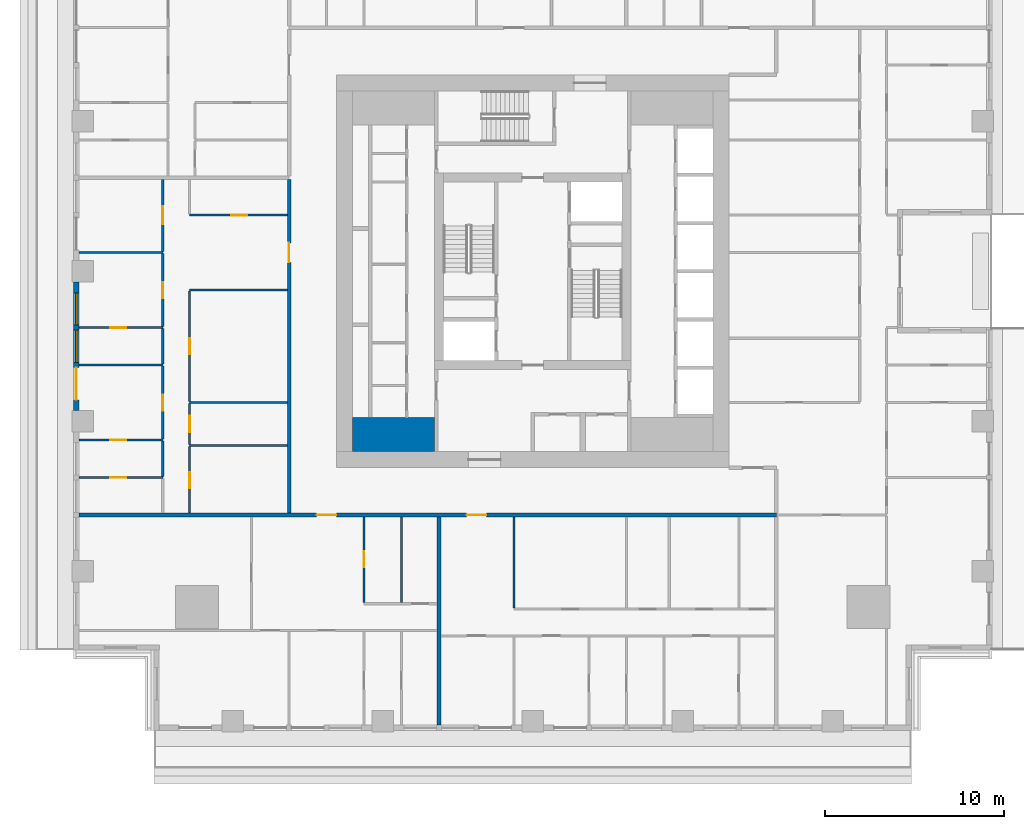
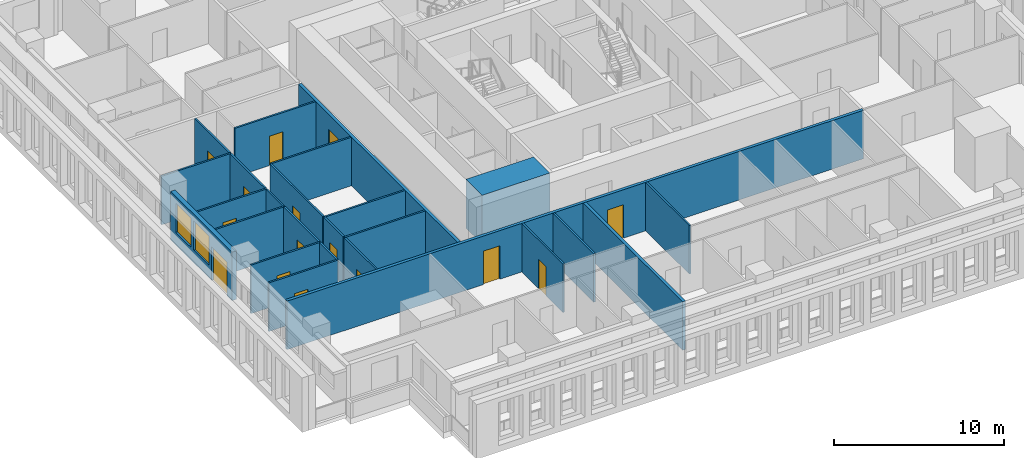
# One storey, part 3 of 17: 25 walls, 15 doors, 2 windows, 17 openings.
"""IFC4 building model written with IfcOpenShell, lengths in metres."""

from ifc_helpers import new_model, si_unit, direction, frame, frame_2d, origin, place, context, subcontext, project, spatial, rectangle, extrude, material, layer, layer_set, type_object, element, fill, save


model = new_model("IFC4")

# Units and contexts
model_context = context("Model", 3, precision=1e-05, world=origin(), true_north=direction((0.0, 1.0)))
body_context = subcontext(model_context, "Body", "Model", "MODEL_VIEW")
ifc_project = project(units=[si_unit("LENGTHUNIT", "METRE"), si_unit("AREAUNIT", "SQUARE_METRE"), si_unit("VOLUMEUNIT", "CUBIC_METRE"), si_unit("PLANEANGLEUNIT", "RADIAN"), si_unit("MASSUNIT", "GRAM", prefix="KILO")], contexts=[model_context])

# Site, building, storey
site_placement = place(None, origin())
site = spatial("IfcSite", under=ifc_project, at=site_placement, CompositionType="ELEMENT")
building_placement = place(site_placement, origin())
building = spatial("IfcBuilding", under=site, at=building_placement, Name="Khepri Terraces", CompositionType="ELEMENT")
storey_placement = place(building_placement, frame((0.0, 0.0, 188.39990234375)))
storey = spatial("IfcBuildingStorey", under=building, at=storey_placement, Name="L44", CompositionType="ELEMENT", Elevation=188.39990234375)

# Walls
ifc_material_1 = material(Name="Concrete C50/60", Category="concrete")
ifc_layer_1 = layer(ifc_material_1, 1.89990234375, Name="Concrete C50/60", Category="concrete")
ifc_layer_set_1 = layer_set([ifc_layer_1], Name="Concrete C50/60")
wall_type_1 = type_object("IfcWallType", Name="Core wall 1900 C50/60", PredefinedType="SHEAR", material=ifc_layer_set_1)
wall_1_placement = place(storey_placement, frame((-10.10009765625, -9.14990234375, 0.0), z_axis=(0.0, 0.0, 1.0), x_axis=(1.0, 0.0, 0.0)))
element("IfcWall", 1, at=wall_1_placement, inside=storey, type_object=wall_type_1, Name="Core wall PR01 L44", PredefinedType="SHEAR", context=body_context, shape_type="SweptSolid", body=[
    extrude(rectangle(XDim=4.60009765625, YDim=1.89990234375, at=frame_2d((2.300048828125, 0.0))), origin(), (0.0, 0.0, 1.0), 3.47998046875),
])
ifc_material_2 = material(Name="Fire-rated gypsum plasterboard partition, mineral wool")
ifc_layer_2 = layer(ifc_material_2, 0.199951171875, Name="Fire-rated gypsum plasterboard partition, mineral wool")
ifc_layer_set_2 = layer_set([ifc_layer_2], Name="Fire-rated gypsum plasterboard partition, mineral wool")
wall_type_2 = type_object("IfcWallType", Name="WL-CORR-200", PredefinedType="PARTITIONING", material=ifc_layer_set_2)
wall_2_placement = place(storey_placement, frame((-5.25, -25.419921875, 0.0), z_axis=(0.0, 0.0, 1.0), x_axis=(0.0, 1.0, 0.0)))
element("IfcWall", 2, at=wall_2_placement, inside=storey, type_object=wall_type_2, Name="Partition P-004 L44", PredefinedType="PARTITIONING", context=body_context, shape_type="SweptSolid", body=[
    extrude(rectangle(XDim=11.669921875, YDim=0.199951171875, at=frame_2d((5.8349609375, 0.0))), origin(), (0.0, 0.0, 1.0), 3.47998046875),
])

# Wall, openings, doors
wall_3_placement = place(storey_placement, frame((-25.419921875, -13.64990234375, 0.0), z_axis=(0.0, 0.0, 1.0), x_axis=(1.0, 0.0, 0.0)))
wall_3 = element("IfcWall", 3, at=wall_3_placement, inside=storey, type_object=wall_type_2, Name="Partition P-024 L44", PredefinedType="PARTITIONING", context=body_context, shape_type="SweptSolid", body=[
    extrude(rectangle(XDim=39.06982421875, YDim=0.199951171875, at=frame_2d((19.534912109375, 0.0))), origin(), (0.0, 0.0, 1.0), 3.47998046875),
])
opening_1_placement = place(wall_3_placement, frame((13.320068359375, 0.0, 0.0)))
opening_1 = element("IfcOpeningElement", 4, at=opening_1_placement, cuts=wall_3, Name="Opening D1", PredefinedType="OPENING", context=body_context, shape_type="SweptSolid", body=[
    extrude(rectangle(XDim=1.10009765625, YDim=2.39990234375, at=frame_2d((0.550048828125, 1.199951171875))), frame((0.0, 0.10986328125, 0.0), z_axis=(0.0, -1.0, 0.0), x_axis=(1.0, 0.0, 0.0)), (0.0, 0.0, 1.0), 0.219970703125),
])
opening_2_placement = place(wall_3_placement, frame((21.719970703125, 0.0, 0.0)))
opening_2 = element("IfcOpeningElement", 5, at=opening_2_placement, cuts=wall_3, Name="Opening D1", PredefinedType="OPENING", context=body_context, shape_type="SweptSolid", body=[
    extrude(rectangle(XDim=1.10009765625, YDim=2.39990234375, at=frame_2d((0.550048828125, 1.199951171875))), frame((0.0, 0.10986328125, 0.0), z_axis=(0.0, -1.0, 0.0), x_axis=(1.0, 0.0, 0.0)), (0.0, 0.0, 1.0), 0.219970703125),
])
ifc_material_3 = material(Name="Solid-core timber door leaf, flat entrance door", Category="wood")
door_type_1 = type_object("IfcDoorType", Name="DR-ENT-1100", OperationType="NOTDEFINED", PredefinedType="DOOR", material=ifc_material_3)
door_1_placement = place(opening_1_placement, frame((1.10009765625, 0.0, 0.0), z_axis=(0.0, 0.0, 1.0), x_axis=(-1.0, 0.0, 0.0)))
door_1 = element("IfcDoor", 6, at=door_1_placement, inside=storey, type_object=door_type_1, Name="Flat A1 entrance door", OperationType="SINGLE_SWING_RIGHT", OverallHeight=2.39990234375, OverallWidth=1.10009765625, PredefinedType="DOOR", context=body_context, shape_type="SweptSolid", body=[
    extrude(rectangle(XDim=1.10009765625, YDim=2.39990234375, at=frame_2d((0.550048828125, 1.199951171875))), frame((0.0, 0.02490234375, 0.0), z_axis=(0.0, -1.0, 0.0), x_axis=(1.0, 0.0, 0.0)), (0.0, 0.0, 1.0), 0.050048828125),
])
fill(opening_1, door_1)
door_2_placement = place(opening_2_placement, frame((1.10009765625, 0.0, 0.0), z_axis=(0.0, 0.0, 1.0), x_axis=(-1.0, 0.0, 0.0)))
door_2 = element("IfcDoor", 7, at=door_2_placement, inside=storey, type_object=door_type_1, Name="Flat A2 entrance door", OperationType="SINGLE_SWING_LEFT", OverallHeight=2.39990234375, OverallWidth=1.10009765625, PredefinedType="DOOR", context=body_context, shape_type="SweptSolid", body=[
    extrude(rectangle(XDim=1.10009765625, YDim=2.39990234375, at=frame_2d((0.550048828125, 1.199951171875))), frame((0.0, 0.02490234375, 0.0), z_axis=(0.0, -1.0, 0.0), x_axis=(1.0, 0.0, 0.0)), (0.0, 0.0, 1.0), 0.050048828125),
])
fill(opening_2, door_2)

# Wall, opening, door
wall_4_placement = place(storey_placement, frame((-13.64990234375, -13.550048828125, 0.0), z_axis=(0.0, 0.0, 1.0), x_axis=(0.0, 1.0, 0.0)))
wall_4 = element("IfcWall", 8, at=wall_4_placement, inside=storey, type_object=wall_type_2, Name="Partition P-029 L44", PredefinedType="PARTITIONING", context=body_context, shape_type="SweptSolid", body=[
    extrude(rectangle(XDim=18.699951171875, YDim=0.199951171875, at=frame_2d((9.35009765625, 0.0))), origin(), (0.0, 0.0, 1.0), 3.47998046875),
])
opening_3_placement = place(wall_4_placement, frame((14.050048828125, 0.0, 0.0)))
opening_3 = element("IfcOpeningElement", 9, at=opening_3_placement, cuts=wall_4, Name="Opening D1", PredefinedType="OPENING", context=body_context, shape_type="SweptSolid", body=[
    extrude(rectangle(XDim=1.10009765625, YDim=2.39990234375, at=frame_2d((0.550048828125, 1.199951171875))), frame((0.0, 0.10986328125, 0.0), z_axis=(0.0, -1.0, 0.0), x_axis=(1.0, 0.0, 0.0)), (0.0, 0.0, 1.0), 0.219970703125),
])
door_3_placement = place(opening_3_placement, origin())
door_3 = element("IfcDoor", 10, at=door_3_placement, inside=storey, type_object=door_type_1, Name="Flat D2 entrance door", OperationType="SINGLE_SWING_RIGHT", OverallHeight=2.39990234375, OverallWidth=1.10009765625, PredefinedType="DOOR", context=body_context, shape_type="SweptSolid", body=[
    extrude(rectangle(XDim=1.10009765625, YDim=2.39990234375, at=frame_2d((0.550048828125, 1.199951171875))), frame((0.0, 0.02490234375, 0.0), z_axis=(0.0, -1.0, 0.0), x_axis=(1.0, 0.0, 0.0)), (0.0, 0.0, 1.0), 0.050048828125),
])
fill(opening_3, door_3)

# Wall, openings, door, windows
ifc_material_4 = material(Name="Precast concrete C50/60 warm stone", Category="masonry")
ifc_layer_3 = layer(ifc_material_4, 0.300048828125, Name="Precast concrete C50/60 warm stone", Category="masonry")
ifc_layer_set_3 = layer_set([ifc_layer_3], Name="Precast concrete C50/60 warm stone")
wall_type_3 = type_object("IfcWallType", Name="WL-EXT-PRECAST-300", PredefinedType="STANDARD", material=ifc_layer_set_3)
wall_5_placement = place(storey_placement, frame((-25.570068359375, -0.60009765625, 0.0), z_axis=(0.0, 0.0, 1.0), x_axis=(0.0, -1.0, 0.0)))
wall_5 = element("IfcWall", 11, at=wall_5_placement, inside=storey, type_object=wall_type_3, Name="External wall L44 W", PredefinedType="STANDARD", context=body_context, shape_type="SweptSolid", body=[
    extrude(rectangle(XDim=7.199951171875, YDim=0.300048828125, at=frame_2d((3.60009765625, 0.0))), origin(), (0.0, 0.0, 1.0), 3.47998046875),
])
opening_4_placement = place(wall_5_placement, frame((0.60009765625, 0.0, 0.89990234375)))
opening_4 = element("IfcOpeningElement", 12, at=opening_4_placement, cuts=wall_5, Name="Opening W1", PredefinedType="OPENING", context=body_context, shape_type="SweptSolid", body=[
    extrude(rectangle(XDim=1.800048828125, YDim=2.10009765625, at=frame_2d((0.89990234375, 1.050048828125))), frame((0.0, 0.16015625, 0.0), z_axis=(0.0, -1.0, 0.0), x_axis=(1.0, 0.0, 0.0)), (0.0, 0.0, 1.0), 0.320068359375),
])
opening_5_placement = place(wall_5_placement, frame((2.699951171875, 0.0, 0.89990234375)))
opening_5 = element("IfcOpeningElement", 13, at=opening_5_placement, cuts=wall_5, Name="Opening W1", PredefinedType="OPENING", context=body_context, shape_type="SweptSolid", body=[
    extrude(rectangle(XDim=1.800048828125, YDim=2.10009765625, at=frame_2d((0.89990234375, 1.050048828125))), frame((0.0, 0.16015625, 0.0), z_axis=(0.0, -1.0, 0.0), x_axis=(1.0, 0.0, 0.0)), (0.0, 0.0, 1.0), 0.320068359375),
])
opening_6_placement = place(wall_5_placement, frame((4.800048828125, 0.0, 0.0)))
opening_6 = element("IfcOpeningElement", 14, at=opening_6_placement, cuts=wall_5, Name="Opening ED-L44-16", PredefinedType="OPENING", context=body_context, shape_type="SweptSolid", body=[
    extrude(rectangle(XDim=1.800048828125, YDim=2.39990234375, at=frame_2d((0.89990234375, 1.199951171875))), frame((0.0, 0.16015625, 0.0), z_axis=(0.0, -1.0, 0.0), x_axis=(1.0, 0.0, 0.0)), (0.0, 0.0, 1.0), 0.320068359375),
])
ifc_material_5 = material(Name="Anodised aluminium bronze glazed door", Category="aluminium")
door_type_2 = type_object("IfcDoorType", Name="DR-BAL-SLIDE-1800x2400", OperationType="NOTDEFINED", PredefinedType="DOOR", material=ifc_material_5)
door_4_placement = place(opening_6_placement, origin())
door_4 = element("IfcDoor", 15, at=door_4_placement, inside=storey, type_object=door_type_2, Name="Balcony door L44 W", OperationType="SLIDING_TO_RIGHT", OverallHeight=2.39990234375, OverallWidth=1.800048828125, PredefinedType="DOOR", context=body_context, shape_type="SweptSolid", body=[
    extrude(rectangle(XDim=1.800048828125, YDim=2.39990234375, at=frame_2d((0.89990234375, 1.199951171875))), frame((0.0, 0.02490234375, 0.0), z_axis=(0.0, -1.0, 0.0), x_axis=(1.0, 0.0, 0.0)), (0.0, 0.0, 1.0), 0.050048828125),
])
fill(opening_6, door_4)
ifc_material_6 = material(Name="Clear glass", Category="glass")
window_type = type_object("IfcWindowType", Name="WIN-RES-1800x2100", PartitioningType="SINGLE_PANEL", PredefinedType="WINDOW", material=ifc_material_6)
window_1_placement = place(opening_4_placement, origin())
window_1 = element("IfcWindow", 16, at=window_1_placement, inside=storey, type_object=window_type, Name="Window L44 W", OverallHeight=2.10009765625, OverallWidth=1.800048828125, PartitioningType="SINGLE_PANEL", PredefinedType="WINDOW", context=body_context, shape_type="SweptSolid", body=[
    extrude(rectangle(XDim=1.800048828125, YDim=2.10009765625, at=frame_2d((0.89990234375, 1.050048828125))), frame((0.0, 0.030029296875, 0.0), z_axis=(0.0, -1.0, 0.0), x_axis=(1.0, 0.0, 0.0)), (0.0, 0.0, 1.0), 0.06005859375),
])
fill(opening_4, window_1)
window_2_placement = place(opening_5_placement, origin())
window_2 = element("IfcWindow", 17, at=window_2_placement, inside=storey, type_object=window_type, Name="Window L44 W", OverallHeight=2.10009765625, OverallWidth=1.800048828125, PartitioningType="SINGLE_PANEL", PredefinedType="WINDOW", context=body_context, shape_type="SweptSolid", body=[
    extrude(rectangle(XDim=1.800048828125, YDim=2.10009765625, at=frame_2d((0.89990234375, 1.050048828125))), frame((0.0, 0.030029296875, 0.0), z_axis=(0.0, -1.0, 0.0), x_axis=(1.0, 0.0, 0.0)), (0.0, 0.0, 1.0), 0.06005859375),
])
fill(opening_5, window_2)

# Wall
ifc_material_7 = material(Name="Gypsum plasterboard partition")
ifc_layer_4 = layer(ifc_material_7, 0.1201171875, Name="Gypsum plasterboard partition")
ifc_layer_set_4 = layer_set([ifc_layer_4], Name="Gypsum plasterboard partition")
wall_type_4 = type_object("IfcWallType", Name="WL-PART-120", PredefinedType="PARTITIONING", material=ifc_layer_set_4)
wall_6_placement = place(storey_placement, frame((-1.050048828125, -18.860107421875, 0.0), z_axis=(0.0, 0.0, 1.0), x_axis=(0.0, 1.0, 0.0)))
element("IfcWall", 18, at=wall_6_placement, inside=storey, type_object=wall_type_4, Name="Partition P-016 L44", PredefinedType="PARTITIONING", context=body_context, shape_type="SweptSolid", body=[
    extrude(rectangle(XDim=5.110107421875, YDim=0.1201171875, at=frame_2d((2.55517578125, 0.0))), origin(), (0.0, 0.0, 1.0), 3.47998046875),
])

# Wall, opening, door
wall_7_placement = place(storey_placement, frame((-9.449951171875, -18.56005859375, 0.0), z_axis=(0.0, 0.0, 1.0), x_axis=(0.0, 1.0, 0.0)))
wall_7 = element("IfcWall", 19, at=wall_7_placement, inside=storey, type_object=wall_type_4, Name="Partition P-021 L44", PredefinedType="PARTITIONING", context=body_context, shape_type="SweptSolid", body=[
    extrude(rectangle(XDim=4.81005859375, YDim=0.1201171875, at=frame_2d((2.405029296875, 0.0))), origin(), (0.0, 0.0, 1.0), 3.47998046875),
])
opening_7_placement = place(wall_7_placement, frame((1.97509765625, 0.0, 0.0)))
opening_7 = element("IfcOpeningElement", 20, at=opening_7_placement, cuts=wall_7, Name="Opening D4", PredefinedType="OPENING", context=body_context, shape_type="SweptSolid", body=[
    extrude(rectangle(XDim=0.89990234375, YDim=2.10009765625, at=frame_2d((0.449951171875, 1.050048828125))), frame((0.0, 0.070068359375, 0.0), z_axis=(0.0, -1.0, 0.0), x_axis=(1.0, 0.0, 0.0)), (0.0, 0.0, 1.0), 0.14013671875),
])
ifc_material_8 = material(Name="Timber door leaf, moisture resistant", Category="wood")
door_type_3 = type_object("IfcDoorType", Name="DR-WET-900", OperationType="NOTDEFINED", PredefinedType="DOOR", material=ifc_material_8)
door_5_placement = place(opening_7_placement, frame((0.89990234375, 0.0, 0.0), z_axis=(0.0, 0.0, 1.0), x_axis=(-1.0, 0.0, 0.0)))
door_5 = element("IfcDoor", 21, at=door_5_placement, inside=storey, type_object=door_type_3, Name="Door Guest Bathroom", OperationType="SINGLE_SWING_LEFT", OverallHeight=2.10009765625, OverallWidth=0.89990234375, PredefinedType="DOOR", context=body_context, shape_type="SweptSolid", body=[
    extrude(rectangle(XDim=0.89990234375, YDim=2.10009765625, at=frame_2d((0.449951171875, 1.050048828125))), frame((0.0, 0.02490234375, 0.0), z_axis=(0.0, -1.0, 0.0), x_axis=(1.0, 0.0, 0.0)), (0.0, 0.0, 1.0), 0.050048828125),
])
fill(opening_7, door_5)

# Wall
wall_8_placement = place(storey_placement, frame((-7.35009765625, -18.56005859375, 0.0), z_axis=(0.0, 0.0, 1.0), x_axis=(0.0, 1.0, 0.0)))
element("IfcWall", 22, at=wall_8_placement, inside=storey, type_object=wall_type_4, Name="Partition P-022 L44", PredefinedType="PARTITIONING", context=body_context, shape_type="SweptSolid", body=[
    extrude(rectangle(XDim=4.81005859375, YDim=0.1201171875, at=frame_2d((2.405029296875, 0.0))), origin(), (0.0, 0.0, 1.0), 3.47998046875),
])

# Wall, opening, door
wall_9_placement = place(storey_placement, frame((-19.219970703125, -13.550048828125, 0.0), z_axis=(0.0, 0.0, 1.0), x_axis=(0.0, 1.0, 0.0)))
wall_9 = element("IfcWall", 23, at=wall_9_placement, inside=storey, type_object=wall_type_4, Name="Partition P-028 L44", PredefinedType="PARTITIONING", context=body_context, shape_type="SweptSolid", body=[
    extrude(rectangle(XDim=3.739990234375, YDim=0.1201171875, at=frame_2d((1.8701171875, 0.0))), origin(), (0.0, 0.0, 1.0), 3.47998046875),
])
opening_8_placement = place(wall_9_placement, frame((1.39990234375, 0.0, 0.0)))
opening_8 = element("IfcOpeningElement", 24, at=opening_8_placement, cuts=wall_9, Name="Opening D3", PredefinedType="OPENING", context=body_context, shape_type="SweptSolid", body=[
    extrude(rectangle(XDim=0.89990234375, YDim=2.10009765625, at=frame_2d((0.449951171875, 1.050048828125))), frame((0.0, 0.070068359375, 0.0), z_axis=(0.0, -1.0, 0.0), x_axis=(1.0, 0.0, 0.0)), (0.0, 0.0, 1.0), 0.14013671875),
])
ifc_material_9 = material(Name="Timber door leaf", Category="wood")
door_type_4 = type_object("IfcDoorType", Name="DR-INT-900", OperationType="NOTDEFINED", PredefinedType="DOOR", material=ifc_material_9)
door_6_placement = place(opening_8_placement, frame((0.89990234375, 0.0, 0.0), z_axis=(0.0, 0.0, 1.0), x_axis=(-1.0, 0.0, 0.0)))
door_6 = element("IfcDoor", 25, at=door_6_placement, inside=storey, type_object=door_type_4, Name="Door Staff Bedroom", OperationType="SINGLE_SWING_RIGHT", OverallHeight=2.10009765625, OverallWidth=0.89990234375, PredefinedType="DOOR", context=body_context, shape_type="SweptSolid", body=[
    extrude(rectangle(XDim=0.89990234375, YDim=2.10009765625, at=frame_2d((0.449951171875, 1.050048828125))), frame((0.0, 0.02490234375, 0.0), z_axis=(0.0, -1.0, 0.0), x_axis=(1.0, 0.0, 0.0)), (0.0, 0.0, 1.0), 0.050048828125),
])
fill(opening_8, door_6)

wall_10_placement = place(storey_placement, frame((-25.419921875, -11.550048828125, 0.0), z_axis=(0.0, 0.0, 1.0), x_axis=(1.0, 0.0, 0.0)))
wall_10 = element("IfcWall", 26, at=wall_10_placement, inside=storey, type_object=wall_type_4, Name="Partition P-031 L44", PredefinedType="PARTITIONING", context=body_context, shape_type="SweptSolid", body=[
    extrude(rectangle(XDim=4.699951171875, YDim=0.1201171875, at=frame_2d((2.35009765625, 0.0))), origin(), (0.0, 0.0, 1.0), 3.47998046875),
])
opening_9_placement = place(wall_10_placement, frame((1.75, 0.0, 0.0)))
opening_9 = element("IfcOpeningElement", 27, at=opening_9_placement, cuts=wall_10, Name="Opening D4", PredefinedType="OPENING", context=body_context, shape_type="SweptSolid", body=[
    extrude(rectangle(XDim=0.89990234375, YDim=2.10009765625, at=frame_2d((0.449951171875, 1.050048828125))), frame((0.0, 0.070068359375, 0.0), z_axis=(0.0, -1.0, 0.0), x_axis=(1.0, 0.0, 0.0)), (0.0, 0.0, 1.0), 0.14013671875),
])
door_7_placement = place(opening_9_placement, frame((0.89990234375, 0.0, 0.0), z_axis=(0.0, 0.0, 1.0), x_axis=(-1.0, 0.0, 0.0)))
door_7 = element("IfcDoor", 28, at=door_7_placement, inside=storey, type_object=door_type_3, Name="Door Bathroom", OperationType="SINGLE_SWING_RIGHT", OverallHeight=2.10009765625, OverallWidth=0.89990234375, PredefinedType="DOOR", context=body_context, shape_type="SweptSolid", body=[
    extrude(rectangle(XDim=0.89990234375, YDim=2.10009765625, at=frame_2d((0.449951171875, 1.050048828125))), frame((0.0, 0.02490234375, 0.0), z_axis=(0.0, -1.0, 0.0), x_axis=(1.0, 0.0, 0.0)), (0.0, 0.0, 1.0), 0.050048828125),
])
fill(opening_9, door_7)

# Walls
wall_11_placement = place(storey_placement, frame((-20.719970703125, -11.489990234375, 0.0), z_axis=(0.0, 0.0, 1.0), x_axis=(0.0, 1.0, 0.0)))
element("IfcWall", 29, at=wall_11_placement, inside=storey, type_object=wall_type_4, Name="Partition P-033 L44", PredefinedType="PARTITIONING", context=body_context, shape_type="SweptSolid", body=[
    extrude(rectangle(XDim=1.97998046875, YDim=0.1201171875, at=frame_2d((0.989990234375, 0.0))), origin(), (0.0, 0.0, 1.0), 3.47998046875),
])
wall_12_placement = place(storey_placement, frame((-19.219970703125, -9.75, 0.0), z_axis=(0.0, 0.0, 1.0), x_axis=(1.0, 0.0, 0.0)))
element("IfcWall", 30, at=wall_12_placement, inside=storey, type_object=wall_type_4, Name="Partition P-036 L44", PredefinedType="PARTITIONING", context=body_context, shape_type="SweptSolid", body=[
    extrude(rectangle(XDim=5.469970703125, YDim=0.1201171875, at=frame_2d((2.73486328125, 0.0))), origin(), (0.0, 0.0, 1.0), 3.47998046875),
])

# Wall, opening, door
wall_13_placement = place(storey_placement, frame((-19.219970703125, -9.68994140625, 0.0), z_axis=(0.0, 0.0, 1.0), x_axis=(0.0, 1.0, 0.0)))
wall_13 = element("IfcWall", 31, at=wall_13_placement, inside=storey, type_object=wall_type_4, Name="Partition P-037 L44", PredefinedType="PARTITIONING", context=body_context, shape_type="SweptSolid", body=[
    extrude(rectangle(XDim=2.280029296875, YDim=0.1201171875, at=frame_2d((1.14013671875, 0.0))), origin(), (0.0, 0.0, 1.0), 3.47998046875),
])
opening_10_placement = place(wall_13_placement, frame((0.68994140625, 0.0, 0.0)))
opening_10 = element("IfcOpeningElement", 32, at=opening_10_placement, cuts=wall_13, Name="Opening D4", PredefinedType="OPENING", context=body_context, shape_type="SweptSolid", body=[
    extrude(rectangle(XDim=0.89990234375, YDim=2.10009765625, at=frame_2d((0.449951171875, 1.050048828125))), frame((0.0, 0.070068359375, 0.0), z_axis=(0.0, -1.0, 0.0), x_axis=(1.0, 0.0, 0.0)), (0.0, 0.0, 1.0), 0.14013671875),
])
door_8_placement = place(opening_10_placement, frame((0.89990234375, 0.0, 0.0), z_axis=(0.0, 0.0, 1.0), x_axis=(-1.0, 0.0, 0.0)))
door_8 = element("IfcDoor", 33, at=door_8_placement, inside=storey, type_object=door_type_3, Name="Door Powder Room", OperationType="SINGLE_SWING_RIGHT", OverallHeight=2.10009765625, OverallWidth=0.89990234375, PredefinedType="DOOR", context=body_context, shape_type="SweptSolid", body=[
    extrude(rectangle(XDim=0.89990234375, YDim=2.10009765625, at=frame_2d((0.449951171875, 1.050048828125))), frame((0.0, 0.02490234375, 0.0), z_axis=(0.0, -1.0, 0.0), x_axis=(1.0, 0.0, 0.0)), (0.0, 0.0, 1.0), 0.050048828125),
])
fill(opening_10, door_8)

wall_14_placement = place(storey_placement, frame((-25.419921875, -9.449951171875, 0.0), z_axis=(0.0, 0.0, 1.0), x_axis=(1.0, 0.0, 0.0)))
wall_14 = element("IfcWall", 34, at=wall_14_placement, inside=storey, type_object=wall_type_4, Name="Partition P-038 L44", PredefinedType="PARTITIONING", context=body_context, shape_type="SweptSolid", body=[
    extrude(rectangle(XDim=4.699951171875, YDim=0.1201171875, at=frame_2d((2.35009765625, 0.0))), origin(), (0.0, 0.0, 1.0), 3.47998046875),
])
opening_11_placement = place(wall_14_placement, frame((1.75, 0.0, 0.0)))
opening_11 = element("IfcOpeningElement", 35, at=opening_11_placement, cuts=wall_14, Name="Opening D3", PredefinedType="OPENING", context=body_context, shape_type="SweptSolid", body=[
    extrude(rectangle(XDim=0.89990234375, YDim=2.10009765625, at=frame_2d((0.449951171875, 1.050048828125))), frame((0.0, 0.070068359375, 0.0), z_axis=(0.0, -1.0, 0.0), x_axis=(1.0, 0.0, 0.0)), (0.0, 0.0, 1.0), 0.14013671875),
])
door_9_placement = place(opening_11_placement, frame((0.89990234375, 0.0, 0.0), z_axis=(0.0, 0.0, 1.0), x_axis=(-1.0, 0.0, 0.0)))
door_9 = element("IfcDoor", 36, at=door_9_placement, inside=storey, type_object=door_type_4, Name="Door Dressing Room", OperationType="SINGLE_SWING_RIGHT", OverallHeight=2.10009765625, OverallWidth=0.89990234375, PredefinedType="DOOR", context=body_context, shape_type="SweptSolid", body=[
    extrude(rectangle(XDim=0.89990234375, YDim=2.10009765625, at=frame_2d((0.449951171875, 1.050048828125))), frame((0.0, 0.02490234375, 0.0), z_axis=(0.0, -1.0, 0.0), x_axis=(1.0, 0.0, 0.0)), (0.0, 0.0, 1.0), 0.050048828125),
])
fill(opening_11, door_9)

wall_15_placement = place(storey_placement, frame((-20.719970703125, -9.389892578125, 0.0), z_axis=(0.0, 0.0, 1.0), x_axis=(0.0, 1.0, 0.0)))
wall_15 = element("IfcWall", 37, at=wall_15_placement, inside=storey, type_object=wall_type_4, Name="Partition P-039 L44", PredefinedType="PARTITIONING", context=body_context, shape_type="SweptSolid", body=[
    extrude(rectangle(XDim=4.079833984375, YDim=0.1201171875, at=frame_2d((2.0400390625, 0.0))), origin(), (0.0, 0.0, 1.0), 3.47998046875),
])
opening_12_placement = place(wall_15_placement, frame((1.590087890625, 0.0, 0.0)))
opening_12 = element("IfcOpeningElement", 38, at=opening_12_placement, cuts=wall_15, Name="Opening D3", PredefinedType="OPENING", context=body_context, shape_type="SweptSolid", body=[
    extrude(rectangle(XDim=0.89990234375, YDim=2.10009765625, at=frame_2d((0.449951171875, 1.050048828125))), frame((0.0, 0.070068359375, 0.0), z_axis=(0.0, -1.0, 0.0), x_axis=(1.0, 0.0, 0.0)), (0.0, 0.0, 1.0), 0.14013671875),
])
door_10_placement = place(opening_12_placement, origin())
door_10 = element("IfcDoor", 39, at=door_10_placement, inside=storey, type_object=door_type_4, Name="Door Master Bedroom", OperationType="SINGLE_SWING_RIGHT", OverallHeight=2.10009765625, OverallWidth=0.89990234375, PredefinedType="DOOR", context=body_context, shape_type="SweptSolid", body=[
    extrude(rectangle(XDim=0.89990234375, YDim=2.10009765625, at=frame_2d((0.449951171875, 1.050048828125))), frame((0.0, 0.02490234375, 0.0), z_axis=(0.0, -1.0, 0.0), x_axis=(1.0, 0.0, 0.0)), (0.0, 0.0, 1.0), 0.050048828125),
])
fill(opening_12, door_10)

# Wall
wall_16_placement = place(storey_placement, frame((-19.219970703125, -7.35009765625, 0.0), z_axis=(0.0, 0.0, 1.0), x_axis=(1.0, 0.0, 0.0)))
element("IfcWall", 40, at=wall_16_placement, inside=storey, type_object=wall_type_4, Name="Partition P-040 L44", PredefinedType="PARTITIONING", context=body_context, shape_type="SweptSolid", body=[
    extrude(rectangle(XDim=5.469970703125, YDim=0.1201171875, at=frame_2d((2.73486328125, 0.0))), origin(), (0.0, 0.0, 1.0), 3.47998046875),
])

# Wall, opening, door
wall_17_placement = place(storey_placement, frame((-19.219970703125, -7.2900390625, 0.0), z_axis=(0.0, 0.0, 1.0), x_axis=(0.0, 1.0, 0.0)))
wall_17 = element("IfcWall", 41, at=wall_17_placement, inside=storey, type_object=wall_type_4, Name="Partition P-043 L44", PredefinedType="PARTITIONING", context=body_context, shape_type="SweptSolid", body=[
    extrude(rectangle(XDim=6.179931640625, YDim=0.1201171875, at=frame_2d((3.08984375, 0.0))), origin(), (0.0, 0.0, 1.0), 3.47998046875),
])
opening_13_placement = place(wall_17_placement, frame((2.639892578125, 0.0, 0.0)))
opening_13 = element("IfcOpeningElement", 42, at=opening_13_placement, cuts=wall_17, Name="Opening D3", PredefinedType="OPENING", context=body_context, shape_type="SweptSolid", body=[
    extrude(rectangle(XDim=0.89990234375, YDim=2.10009765625, at=frame_2d((0.449951171875, 1.050048828125))), frame((0.0, 0.070068359375, 0.0), z_axis=(0.0, -1.0, 0.0), x_axis=(1.0, 0.0, 0.0)), (0.0, 0.0, 1.0), 0.14013671875),
])
door_11_placement = place(opening_13_placement, frame((0.89990234375, 0.0, 0.0), z_axis=(0.0, 0.0, 1.0), x_axis=(-1.0, 0.0, 0.0)))
door_11 = element("IfcDoor", 43, at=door_11_placement, inside=storey, type_object=door_type_4, Name="Door Kitchen", OperationType="SINGLE_SWING_LEFT", OverallHeight=2.10009765625, OverallWidth=0.89990234375, PredefinedType="DOOR", context=body_context, shape_type="SweptSolid", body=[
    extrude(rectangle(XDim=0.89990234375, YDim=2.10009765625, at=frame_2d((0.449951171875, 1.050048828125))), frame((0.0, 0.02490234375, 0.0), z_axis=(0.0, -1.0, 0.0), x_axis=(1.0, 0.0, 0.0)), (0.0, 0.0, 1.0), 0.050048828125),
])
fill(opening_13, door_11)

# Walls
wall_18_placement = place(storey_placement, frame((-25.419921875, -5.25, 0.0), z_axis=(0.0, 0.0, 1.0), x_axis=(1.0, 0.0, 0.0)))
element("IfcWall", 44, at=wall_18_placement, inside=storey, type_object=wall_type_4, Name="Partition P-046 L44", PredefinedType="PARTITIONING", context=body_context, shape_type="SweptSolid", body=[
    extrude(rectangle(XDim=4.699951171875, YDim=0.1201171875, at=frame_2d((2.35009765625, 0.0))), origin(), (0.0, 0.0, 1.0), 3.47998046875),
])
wall_19_placement = place(storey_placement, frame((-20.719970703125, -5.18994140625, 0.0), z_axis=(0.0, 0.0, 1.0), x_axis=(0.0, 1.0, 0.0)))
element("IfcWall", 45, at=wall_19_placement, inside=storey, type_object=wall_type_4, Name="Partition P-048 L44", PredefinedType="PARTITIONING", context=body_context, shape_type="SweptSolid", body=[
    extrude(rectangle(XDim=1.97998046875, YDim=0.1201171875, at=frame_2d((0.989990234375, 0.0))), origin(), (0.0, 0.0, 1.0), 3.47998046875),
])

# Wall, opening, door
wall_20_placement = place(storey_placement, frame((-25.419921875, -3.14990234375, 0.0), z_axis=(0.0, 0.0, 1.0), x_axis=(1.0, 0.0, 0.0)))
wall_20 = element("IfcWall", 46, at=wall_20_placement, inside=storey, type_object=wall_type_4, Name="Partition P-052 L44", PredefinedType="PARTITIONING", context=body_context, shape_type="SweptSolid", body=[
    extrude(rectangle(XDim=4.699951171875, YDim=0.1201171875, at=frame_2d((2.35009765625, 0.0))), origin(), (0.0, 0.0, 1.0), 3.47998046875),
])
opening_14_placement = place(wall_20_placement, frame((1.75, 0.0, 0.0)))
opening_14 = element("IfcOpeningElement", 47, at=opening_14_placement, cuts=wall_20, Name="Opening D4", PredefinedType="OPENING", context=body_context, shape_type="SweptSolid", body=[
    extrude(rectangle(XDim=0.89990234375, YDim=2.10009765625, at=frame_2d((0.449951171875, 1.050048828125))), frame((0.0, 0.070068359375, 0.0), z_axis=(0.0, -1.0, 0.0), x_axis=(1.0, 0.0, 0.0)), (0.0, 0.0, 1.0), 0.14013671875),
])
door_12_placement = place(opening_14_placement, frame((0.89990234375, 0.0, 0.0), z_axis=(0.0, 0.0, 1.0), x_axis=(-1.0, 0.0, 0.0)))
door_12 = element("IfcDoor", 48, at=door_12_placement, inside=storey, type_object=door_type_3, Name="Door Bathroom", OperationType="SINGLE_SWING_RIGHT", OverallHeight=2.10009765625, OverallWidth=0.89990234375, PredefinedType="DOOR", context=body_context, shape_type="SweptSolid", body=[
    extrude(rectangle(XDim=0.89990234375, YDim=2.10009765625, at=frame_2d((0.449951171875, 1.050048828125))), frame((0.0, 0.02490234375, 0.0), z_axis=(0.0, -1.0, 0.0), x_axis=(1.0, 0.0, 0.0)), (0.0, 0.0, 1.0), 0.050048828125),
])
fill(opening_14, door_12)

wall_21_placement = place(storey_placement, frame((-20.719970703125, -3.090087890625, 0.0), z_axis=(0.0, 0.0, 1.0), x_axis=(0.0, 1.0, 0.0)))
wall_21 = element("IfcWall", 49, at=wall_21_placement, inside=storey, type_object=wall_type_4, Name="Partition P-054 L44", PredefinedType="PARTITIONING", context=body_context, shape_type="SweptSolid", body=[
    extrude(rectangle(XDim=4.080078125, YDim=0.1201171875, at=frame_2d((2.0400390625, 0.0))), origin(), (0.0, 0.0, 1.0), 3.47998046875),
])
opening_15_placement = place(wall_21_placement, frame((1.590087890625, 0.0, 0.0)))
opening_15 = element("IfcOpeningElement", 50, at=opening_15_placement, cuts=wall_21, Name="Opening D3", PredefinedType="OPENING", context=body_context, shape_type="SweptSolid", body=[
    extrude(rectangle(XDim=0.89990234375, YDim=2.10009765625, at=frame_2d((0.449951171875, 1.050048828125))), frame((0.0, 0.070068359375, 0.0), z_axis=(0.0, -1.0, 0.0), x_axis=(1.0, 0.0, 0.0)), (0.0, 0.0, 1.0), 0.14013671875),
])
door_13_placement = place(opening_15_placement, origin())
door_13 = element("IfcDoor", 51, at=door_13_placement, inside=storey, type_object=door_type_4, Name="Door Bedroom", OperationType="SINGLE_SWING_RIGHT", OverallHeight=2.10009765625, OverallWidth=0.89990234375, PredefinedType="DOOR", context=body_context, shape_type="SweptSolid", body=[
    extrude(rectangle(XDim=0.89990234375, YDim=2.10009765625, at=frame_2d((0.449951171875, 1.050048828125))), frame((0.0, 0.02490234375, 0.0), z_axis=(0.0, -1.0, 0.0), x_axis=(1.0, 0.0, 0.0)), (0.0, 0.0, 1.0), 0.050048828125),
])
fill(opening_15, door_13)

# Walls
wall_22_placement = place(storey_placement, frame((-19.219970703125, -1.050048828125, 0.0), z_axis=(0.0, 0.0, 1.0), x_axis=(1.0, 0.0, 0.0)))
element("IfcWall", 52, at=wall_22_placement, inside=storey, type_object=wall_type_4, Name="Partition P-055 L44", PredefinedType="PARTITIONING", context=body_context, shape_type="SweptSolid", body=[
    extrude(rectangle(XDim=5.469970703125, YDim=0.1201171875, at=frame_2d((2.73486328125, 0.0))), origin(), (0.0, 0.0, 1.0), 3.47998046875),
])
wall_23_placement = place(storey_placement, frame((-25.419921875, 1.050048828125, 0.0), z_axis=(0.0, 0.0, 1.0), x_axis=(1.0, 0.0, 0.0)))
element("IfcWall", 53, at=wall_23_placement, inside=storey, type_object=wall_type_4, Name="Partition P-056 L44", PredefinedType="PARTITIONING", context=body_context, shape_type="SweptSolid", body=[
    extrude(rectangle(XDim=4.699951171875, YDim=0.1201171875, at=frame_2d((2.35009765625, 0.0))), origin(), (0.0, 0.0, 1.0), 3.47998046875),
])

# Wall, opening, door
wall_24_placement = place(storey_placement, frame((-20.719970703125, 1.110107421875, 0.0), z_axis=(0.0, 0.0, 1.0), x_axis=(0.0, 1.0, 0.0)))
wall_24 = element("IfcWall", 54, at=wall_24_placement, inside=storey, type_object=wall_type_4, Name="Partition P-058 L44", PredefinedType="PARTITIONING", context=body_context, shape_type="SweptSolid", body=[
    extrude(rectangle(XDim=4.039794921875, YDim=0.1201171875, at=frame_2d((2.02001953125, 0.0))), origin(), (0.0, 0.0, 1.0), 3.47998046875),
])
opening_16_placement = place(wall_24_placement, frame((1.5400390625, 0.0, 0.0)))
opening_16 = element("IfcOpeningElement", 55, at=opening_16_placement, cuts=wall_24, Name="Opening D2", PredefinedType="OPENING", context=body_context, shape_type="SweptSolid", body=[
    extrude(rectangle(XDim=1.0, YDim=2.10009765625, at=frame_2d((0.5, 1.050048828125))), frame((0.0, 0.070068359375, 0.0), z_axis=(0.0, -1.0, 0.0), x_axis=(1.0, 0.0, 0.0)), (0.0, 0.0, 1.0), 0.14013671875),
])
ifc_material_10 = material(Name="Timber door leaf, living room door", Category="wood")
door_type_5 = type_object("IfcDoorType", Name="DR-INT-1000", OperationType="NOTDEFINED", PredefinedType="DOOR", material=ifc_material_10)
door_14_placement = place(opening_16_placement, origin())
door_14 = element("IfcDoor", 56, at=door_14_placement, inside=storey, type_object=door_type_5, Name="Door Living Room", OperationType="SINGLE_SWING_RIGHT", OverallHeight=2.10009765625, OverallWidth=1.0, PredefinedType="DOOR", context=body_context, shape_type="SweptSolid", body=[
    extrude(rectangle(XDim=1.0, YDim=2.10009765625, at=frame_2d((0.5, 1.050048828125))), frame((0.0, 0.02490234375, 0.0), z_axis=(0.0, -1.0, 0.0), x_axis=(1.0, 0.0, 0.0)), (0.0, 0.0, 1.0), 0.050048828125),
])
fill(opening_16, door_14)

wall_25_placement = place(storey_placement, frame((-19.219970703125, 3.14990234375, 0.0), z_axis=(0.0, 0.0, 1.0), x_axis=(1.0, 0.0, 0.0)))
wall_25 = element("IfcWall", 57, at=wall_25_placement, inside=storey, type_object=wall_type_4, Name="Partition P-060 L44", PredefinedType="PARTITIONING", context=body_context, shape_type="SweptSolid", body=[
    extrude(rectangle(XDim=5.469970703125, YDim=0.1201171875, at=frame_2d((2.73486328125, 0.0))), origin(), (0.0, 0.0, 1.0), 3.47998046875),
])
opening_17_placement = place(wall_25_placement, frame((2.3349609375, 0.0, 0.0)))
opening_17 = element("IfcOpeningElement", 58, at=opening_17_placement, cuts=wall_25, Name="Opening D4", PredefinedType="OPENING", context=body_context, shape_type="SweptSolid", body=[
    extrude(rectangle(XDim=0.89990234375, YDim=2.10009765625, at=frame_2d((0.449951171875, 1.050048828125))), frame((0.0, 0.070068359375, 0.0), z_axis=(0.0, -1.0, 0.0), x_axis=(1.0, 0.0, 0.0)), (0.0, 0.0, 1.0), 0.14013671875),
])
door_15_placement = place(opening_17_placement, origin())
door_15 = element("IfcDoor", 59, at=door_15_placement, inside=storey, type_object=door_type_3, Name="Door Guest Bathroom", OperationType="SINGLE_SWING_RIGHT", OverallHeight=2.10009765625, OverallWidth=0.89990234375, PredefinedType="DOOR", context=body_context, shape_type="SweptSolid", body=[
    extrude(rectangle(XDim=0.89990234375, YDim=2.10009765625, at=frame_2d((0.449951171875, 1.050048828125))), frame((0.0, 0.02490234375, 0.0), z_axis=(0.0, -1.0, 0.0), x_axis=(1.0, 0.0, 0.0)), (0.0, 0.0, 1.0), 0.050048828125),
])
fill(opening_17, door_15)

save(model, "model.ifc")
